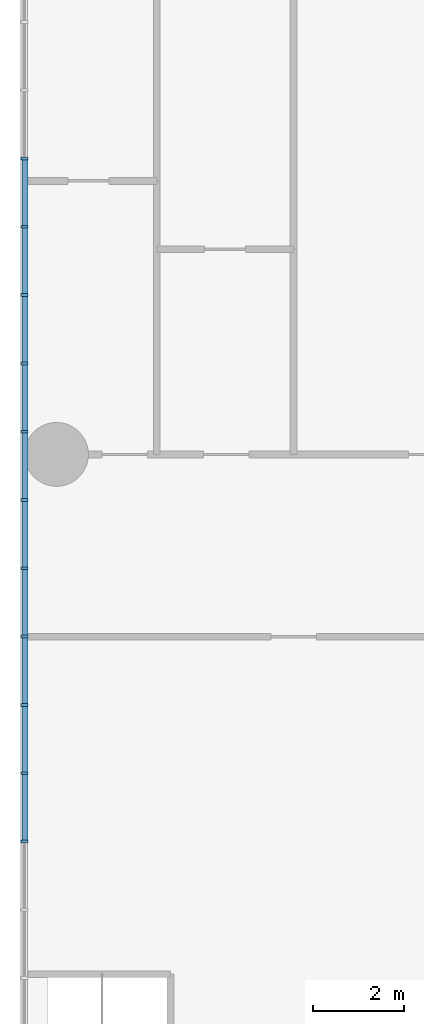
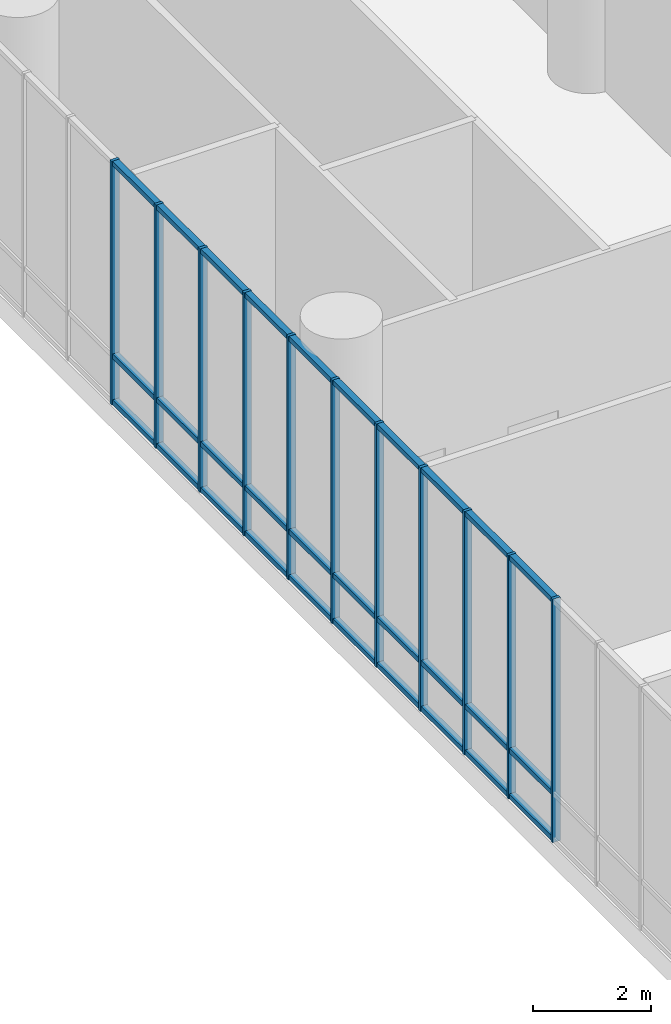
# One storey, part 5 of 30: 41 members, 1 element without a shape of its own.
"""IFC4 building model written with IfcOpenShell, lengths in metres."""

from ifc_helpers import new_model, si_unit, direction, frame, origin, origin_2d, place, context, subcontext, project, spatial, rectangle, extrude, material, layer, layer_set, material_profile, profile_set, type_object, element, aggregate, save


model = new_model("IFC4")

# Units and contexts
model_context = context("Model", 3, precision=1e-05, world=origin(), true_north=direction((0.0, 1.0)))
body_context = subcontext(model_context, "Body", "Model", "MODEL_VIEW")
ifc_project = project(units=[si_unit("LENGTHUNIT", "METRE"), si_unit("AREAUNIT", "SQUARE_METRE"), si_unit("VOLUMEUNIT", "CUBIC_METRE"), si_unit("PLANEANGLEUNIT", "RADIAN"), si_unit("MASSUNIT", "GRAM", prefix="KILO")], contexts=[model_context])

# Site, building, storey
site_placement = place(None, origin())
site = spatial("IfcSite", under=ifc_project, at=site_placement, CompositionType="ELEMENT")
building_placement = place(site_placement, origin())
building = spatial("IfcBuilding", under=site, at=building_placement, Name="Torana Hotel and Residences", CompositionType="ELEMENT")
storey_placement = place(building_placement, frame((0.0, 0.0, 12.5)))
storey = spatial("IfcBuildingStorey", under=building, at=storey_placement, Name="L02", CompositionType="ELEMENT", Elevation=12.5)

# Curtain wall, members
ifc_material_1 = material(Name="Dark anodised aluminium", Category="aluminium")
ifc_layer = layer(ifc_material_1, 0.14990234375)
ifc_layer_set = layer_set([ifc_layer], Name="CW5 PODIUM UPPER UNITISED CURTAIN WALL")
curtain_wall_type = type_object("IfcCurtainWallType", Name="CW5 PODIUM UPPER UNITISED CURTAIN WALL", PredefinedType="NOTDEFINED", material=ifc_layer_set)
curtain_wall_placement = place(storey_placement, origin())
curtain_wall = element("IfcCurtainWall", 1, at=curtain_wall_placement, inside=storey, type_object=curtain_wall_type, Name="Curtain wall CW5 L02 e0.7", PredefinedType="NOTDEFINED")
ifc_material_2 = material(Name="Dark anodised aluminium", Category="aluminium")
ifc_material_profile_1 = material_profile(ifc_material_2, rectangle(XDim=0.14990234375, YDim=0.06005859375, at=origin_2d()), Name="CW5 MULLION 60x150")
ifc_profile_set_1 = profile_set([ifc_material_profile_1], Name="Dark anodised aluminium")
member_type_1 = type_object("IfcMemberType", Name="CW5 MULLION 60x150", PredefinedType="MULLION", material=ifc_profile_set_1)
member_1_placement = place(storey_placement, frame((-47.89990234375, -8.51025390625, 0.0), z_axis=(0.0, 0.0, 1.0), x_axis=(1.0, 0.0, 0.0)))
member_1 = element("IfcMember", 2, at=member_1_placement, type_object=member_type_1, Name="CW5 mullion 8", PredefinedType="MULLION", context=body_context, shape_type="SweptSolid", body=[
    extrude(rectangle(XDim=0.14990234375, YDim=0.06005859375, at=origin_2d()), origin(), (0.0, 0.0, 1.0), 5.050048828125),
])
member_2_placement = place(storey_placement, frame((-47.89990234375, -10.00830078125, 0.0), z_axis=(0.0, 0.0, 1.0), x_axis=(1.0, 0.0, 0.0)))
member_2 = element("IfcMember", 3, at=member_2_placement, type_object=member_type_1, Name="CW5 mullion 9", PredefinedType="MULLION", context=body_context, shape_type="SweptSolid", body=[
    extrude(rectangle(XDim=0.14990234375, YDim=0.06005859375, at=origin_2d()), origin(), (0.0, 0.0, 1.0), 5.050048828125),
])
member_3_placement = place(storey_placement, frame((-47.89990234375, -11.506103515625, 0.0), z_axis=(0.0, 0.0, 1.0), x_axis=(1.0, 0.0, 0.0)))
member_3 = element("IfcMember", 4, at=member_3_placement, type_object=member_type_1, Name="CW5 mullion 10", PredefinedType="MULLION", context=body_context, shape_type="SweptSolid", body=[
    extrude(rectangle(XDim=0.14990234375, YDim=0.06005859375, at=origin_2d()), origin(), (0.0, 0.0, 1.0), 5.050048828125),
])
member_4_placement = place(storey_placement, frame((-47.89990234375, -13.004150390625, 0.0), z_axis=(0.0, 0.0, 1.0), x_axis=(1.0, 0.0, 0.0)))
member_4 = element("IfcMember", 5, at=member_4_placement, type_object=member_type_1, Name="CW5 mullion 11", PredefinedType="MULLION", context=body_context, shape_type="SweptSolid", body=[
    extrude(rectangle(XDim=0.14990234375, YDim=0.06005859375, at=origin_2d()), origin(), (0.0, 0.0, 1.0), 5.050048828125),
])
member_5_placement = place(storey_placement, frame((-47.89990234375, -14.501953125, 0.0), z_axis=(0.0, 0.0, 1.0), x_axis=(1.0, 0.0, 0.0)))
member_5 = element("IfcMember", 6, at=member_5_placement, type_object=member_type_1, Name="CW5 mullion 12", PredefinedType="MULLION", context=body_context, shape_type="SweptSolid", body=[
    extrude(rectangle(XDim=0.14990234375, YDim=0.06005859375, at=origin_2d()), origin(), (0.0, 0.0, 1.0), 5.050048828125),
])
member_6_placement = place(storey_placement, frame((-47.89990234375, -16.0, 0.0), z_axis=(0.0, 0.0, 1.0), x_axis=(1.0, 0.0, 0.0)))
member_6 = element("IfcMember", 7, at=member_6_placement, type_object=member_type_1, Name="CW5 mullion 13", PredefinedType="MULLION", context=body_context, shape_type="SweptSolid", body=[
    extrude(rectangle(XDim=0.14990234375, YDim=0.06005859375, at=origin_2d()), origin(), (0.0, 0.0, 1.0), 5.050048828125),
])
member_7_placement = place(storey_placement, frame((-47.89990234375, -17.498046875, 0.0), z_axis=(0.0, 0.0, 1.0), x_axis=(1.0, 0.0, 0.0)))
member_7 = element("IfcMember", 8, at=member_7_placement, type_object=member_type_1, Name="CW5 mullion 14", PredefinedType="MULLION", context=body_context, shape_type="SweptSolid", body=[
    extrude(rectangle(XDim=0.14990234375, YDim=0.06005859375, at=origin_2d()), origin(), (0.0, 0.0, 1.0), 5.050048828125),
])
member_8_placement = place(storey_placement, frame((-47.89990234375, -18.995849609375, 0.0), z_axis=(0.0, 0.0, 1.0), x_axis=(1.0, 0.0, 0.0)))
member_8 = element("IfcMember", 9, at=member_8_placement, type_object=member_type_1, Name="CW5 mullion 15", PredefinedType="MULLION", context=body_context, shape_type="SweptSolid", body=[
    extrude(rectangle(XDim=0.14990234375, YDim=0.06005859375, at=origin_2d()), origin(), (0.0, 0.0, 1.0), 5.050048828125),
])
member_9_placement = place(storey_placement, frame((-47.89990234375, -20.493896484375, 0.0), z_axis=(0.0, 0.0, 1.0), x_axis=(1.0, 0.0, 0.0)))
member_9 = element("IfcMember", 10, at=member_9_placement, type_object=member_type_1, Name="CW5 mullion 16", PredefinedType="MULLION", context=body_context, shape_type="SweptSolid", body=[
    extrude(rectangle(XDim=0.14990234375, YDim=0.06005859375, at=origin_2d()), origin(), (0.0, 0.0, 1.0), 5.050048828125),
])
member_10_placement = place(storey_placement, frame((-47.89990234375, -21.99169921875, 0.0), z_axis=(0.0, 0.0, 1.0), x_axis=(1.0, 0.0, 0.0)))
member_10 = element("IfcMember", 11, at=member_10_placement, type_object=member_type_1, Name="CW5 mullion 17", PredefinedType="MULLION", context=body_context, shape_type="SweptSolid", body=[
    extrude(rectangle(XDim=0.14990234375, YDim=0.06005859375, at=origin_2d()), origin(), (0.0, 0.0, 1.0), 5.050048828125),
])
member_11_placement = place(storey_placement, frame((-47.89990234375, -23.48974609375, 0.0), z_axis=(0.0, 0.0, 1.0), x_axis=(1.0, 0.0, 0.0)))
member_11 = element("IfcMember", 12, at=member_11_placement, type_object=member_type_1, Name="CW5 mullion 18", PredefinedType="MULLION", context=body_context, shape_type="SweptSolid", body=[
    extrude(rectangle(XDim=0.14990234375, YDim=0.06005859375, at=origin_2d()), origin(), (0.0, 0.0, 1.0), 5.050048828125),
])
ifc_material_3 = material(Name="Dark anodised aluminium", Category="aluminium")
ifc_material_profile_2 = material_profile(ifc_material_3, rectangle(XDim=0.1201171875, YDim=0.10009765625, at=origin_2d()), Name="CW5 TRANSOM 120x100")
ifc_profile_set_2 = profile_set([ifc_material_profile_2], Name="Dark anodised aluminium")
member_type_2 = type_object("IfcMemberType", Name="CW5 TRANSOM 120x100", PredefinedType="USERDEFINED", material=ifc_profile_set_2)
member_12_placement = place(storey_placement, frame((-47.89990234375, -8.540283203125, 0.050048828125), z_axis=(0.0, -1.0, 0.0), x_axis=(1.0, 0.0, 0.0)))
member_12 = element("IfcMember", 13, at=member_12_placement, type_object=member_type_2, Name="CW5 transom 8.1", ObjectType="TRANSOM", PredefinedType="USERDEFINED", context=body_context, shape_type="SweptSolid", body=[
    extrude(rectangle(XDim=0.1201171875, YDim=0.10009765625, at=origin_2d()), origin(), (0.0, 0.0, 1.0), 1.43798828125),
])
member_13_placement = place(storey_placement, frame((-47.89990234375, -8.540283203125, 1.0), z_axis=(0.0, -1.0, 0.0), x_axis=(1.0, 0.0, 0.0)))
member_13 = element("IfcMember", 14, at=member_13_placement, type_object=member_type_2, Name="CW5 transom 8.2", ObjectType="TRANSOM", PredefinedType="USERDEFINED", context=body_context, shape_type="SweptSolid", body=[
    extrude(rectangle(XDim=0.1201171875, YDim=0.10009765625, at=origin_2d()), origin(), (0.0, 0.0, 1.0), 1.43798828125),
])
member_14_placement = place(storey_placement, frame((-47.89990234375, -8.540283203125, 5.0), z_axis=(0.0, -1.0, 0.0), x_axis=(1.0, 0.0, 0.0)))
member_14 = element("IfcMember", 15, at=member_14_placement, type_object=member_type_2, Name="CW5 transom 8.3", ObjectType="TRANSOM", PredefinedType="USERDEFINED", context=body_context, shape_type="SweptSolid", body=[
    extrude(rectangle(XDim=0.1201171875, YDim=0.10009765625, at=origin_2d()), origin(), (0.0, 0.0, 1.0), 1.43798828125),
])
member_15_placement = place(storey_placement, frame((-47.89990234375, -10.0380859375, 0.050048828125), z_axis=(0.0, -1.0, 0.0), x_axis=(1.0, 0.0, 0.0)))
member_15 = element("IfcMember", 16, at=member_15_placement, type_object=member_type_2, Name="CW5 transom 9.1", ObjectType="TRANSOM", PredefinedType="USERDEFINED", context=body_context, shape_type="SweptSolid", body=[
    extrude(rectangle(XDim=0.1201171875, YDim=0.10009765625, at=origin_2d()), origin(), (0.0, 0.0, 1.0), 1.43798828125),
])
member_16_placement = place(storey_placement, frame((-47.89990234375, -10.0380859375, 1.0), z_axis=(0.0, -1.0, 0.0), x_axis=(1.0, 0.0, 0.0)))
member_16 = element("IfcMember", 17, at=member_16_placement, type_object=member_type_2, Name="CW5 transom 9.2", ObjectType="TRANSOM", PredefinedType="USERDEFINED", context=body_context, shape_type="SweptSolid", body=[
    extrude(rectangle(XDim=0.1201171875, YDim=0.10009765625, at=origin_2d()), origin(), (0.0, 0.0, 1.0), 1.43798828125),
])
member_17_placement = place(storey_placement, frame((-47.89990234375, -10.0380859375, 5.0), z_axis=(0.0, -1.0, 0.0), x_axis=(1.0, 0.0, 0.0)))
member_17 = element("IfcMember", 18, at=member_17_placement, type_object=member_type_2, Name="CW5 transom 9.3", ObjectType="TRANSOM", PredefinedType="USERDEFINED", context=body_context, shape_type="SweptSolid", body=[
    extrude(rectangle(XDim=0.1201171875, YDim=0.10009765625, at=origin_2d()), origin(), (0.0, 0.0, 1.0), 1.43798828125),
])
member_18_placement = place(storey_placement, frame((-47.89990234375, -11.5361328125, 0.050048828125), z_axis=(0.0, -1.0, 0.0), x_axis=(1.0, 0.0, 0.0)))
member_18 = element("IfcMember", 19, at=member_18_placement, type_object=member_type_2, Name="CW5 transom 10.1", ObjectType="TRANSOM", PredefinedType="USERDEFINED", context=body_context, shape_type="SweptSolid", body=[
    extrude(rectangle(XDim=0.1201171875, YDim=0.10009765625, at=origin_2d()), origin(), (0.0, 0.0, 1.0), 1.43798828125),
])
member_19_placement = place(storey_placement, frame((-47.89990234375, -11.5361328125, 1.0), z_axis=(0.0, -1.0, 0.0), x_axis=(1.0, 0.0, 0.0)))
member_19 = element("IfcMember", 20, at=member_19_placement, type_object=member_type_2, Name="CW5 transom 10.2", ObjectType="TRANSOM", PredefinedType="USERDEFINED", context=body_context, shape_type="SweptSolid", body=[
    extrude(rectangle(XDim=0.1201171875, YDim=0.10009765625, at=origin_2d()), origin(), (0.0, 0.0, 1.0), 1.43798828125),
])
member_20_placement = place(storey_placement, frame((-47.89990234375, -11.5361328125, 5.0), z_axis=(0.0, -1.0, 0.0), x_axis=(1.0, 0.0, 0.0)))
member_20 = element("IfcMember", 21, at=member_20_placement, type_object=member_type_2, Name="CW5 transom 10.3", ObjectType="TRANSOM", PredefinedType="USERDEFINED", context=body_context, shape_type="SweptSolid", body=[
    extrude(rectangle(XDim=0.1201171875, YDim=0.10009765625, at=origin_2d()), origin(), (0.0, 0.0, 1.0), 1.43798828125),
])
member_21_placement = place(storey_placement, frame((-47.89990234375, -13.0341796875, 0.050048828125), z_axis=(0.0, -1.0, 0.0), x_axis=(1.0, 0.0, 0.0)))
member_21 = element("IfcMember", 22, at=member_21_placement, type_object=member_type_2, Name="CW5 transom 11.1", ObjectType="TRANSOM", PredefinedType="USERDEFINED", context=body_context, shape_type="SweptSolid", body=[
    extrude(rectangle(XDim=0.1201171875, YDim=0.10009765625, at=origin_2d()), origin(), (0.0, 0.0, 1.0), 1.43798828125),
])
member_22_placement = place(storey_placement, frame((-47.89990234375, -13.0341796875, 1.0), z_axis=(0.0, -1.0, 0.0), x_axis=(1.0, 0.0, 0.0)))
member_22 = element("IfcMember", 23, at=member_22_placement, type_object=member_type_2, Name="CW5 transom 11.2", ObjectType="TRANSOM", PredefinedType="USERDEFINED", context=body_context, shape_type="SweptSolid", body=[
    extrude(rectangle(XDim=0.1201171875, YDim=0.10009765625, at=origin_2d()), origin(), (0.0, 0.0, 1.0), 1.43798828125),
])
member_23_placement = place(storey_placement, frame((-47.89990234375, -13.0341796875, 5.0), z_axis=(0.0, -1.0, 0.0), x_axis=(1.0, 0.0, 0.0)))
member_23 = element("IfcMember", 24, at=member_23_placement, type_object=member_type_2, Name="CW5 transom 11.3", ObjectType="TRANSOM", PredefinedType="USERDEFINED", context=body_context, shape_type="SweptSolid", body=[
    extrude(rectangle(XDim=0.1201171875, YDim=0.10009765625, at=origin_2d()), origin(), (0.0, 0.0, 1.0), 1.43798828125),
])
member_24_placement = place(storey_placement, frame((-47.89990234375, -14.531982421875, 0.050048828125), z_axis=(0.0, -1.0, 0.0), x_axis=(1.0, 0.0, 0.0)))
member_24 = element("IfcMember", 25, at=member_24_placement, type_object=member_type_2, Name="CW5 transom 12.1", ObjectType="TRANSOM", PredefinedType="USERDEFINED", context=body_context, shape_type="SweptSolid", body=[
    extrude(rectangle(XDim=0.1201171875, YDim=0.10009765625, at=origin_2d()), origin(), (0.0, 0.0, 1.0), 1.43798828125),
])
member_25_placement = place(storey_placement, frame((-47.89990234375, -14.531982421875, 1.0), z_axis=(0.0, -1.0, 0.0), x_axis=(1.0, 0.0, 0.0)))
member_25 = element("IfcMember", 26, at=member_25_placement, type_object=member_type_2, Name="CW5 transom 12.2", ObjectType="TRANSOM", PredefinedType="USERDEFINED", context=body_context, shape_type="SweptSolid", body=[
    extrude(rectangle(XDim=0.1201171875, YDim=0.10009765625, at=origin_2d()), origin(), (0.0, 0.0, 1.0), 1.43798828125),
])
member_26_placement = place(storey_placement, frame((-47.89990234375, -14.531982421875, 5.0), z_axis=(0.0, -1.0, 0.0), x_axis=(1.0, 0.0, 0.0)))
member_26 = element("IfcMember", 27, at=member_26_placement, type_object=member_type_2, Name="CW5 transom 12.3", ObjectType="TRANSOM", PredefinedType="USERDEFINED", context=body_context, shape_type="SweptSolid", body=[
    extrude(rectangle(XDim=0.1201171875, YDim=0.10009765625, at=origin_2d()), origin(), (0.0, 0.0, 1.0), 1.43798828125),
])
member_27_placement = place(storey_placement, frame((-47.89990234375, -16.030029296875, 0.050048828125), z_axis=(0.0, -1.0, 0.0), x_axis=(1.0, 0.0, 0.0)))
member_27 = element("IfcMember", 28, at=member_27_placement, type_object=member_type_2, Name="CW5 transom 13.1", ObjectType="TRANSOM", PredefinedType="USERDEFINED", context=body_context, shape_type="SweptSolid", body=[
    extrude(rectangle(XDim=0.1201171875, YDim=0.10009765625, at=origin_2d()), origin(), (0.0, 0.0, 1.0), 1.43798828125),
])
member_28_placement = place(storey_placement, frame((-47.89990234375, -16.030029296875, 1.0), z_axis=(0.0, -1.0, 0.0), x_axis=(1.0, 0.0, 0.0)))
member_28 = element("IfcMember", 29, at=member_28_placement, type_object=member_type_2, Name="CW5 transom 13.2", ObjectType="TRANSOM", PredefinedType="USERDEFINED", context=body_context, shape_type="SweptSolid", body=[
    extrude(rectangle(XDim=0.1201171875, YDim=0.10009765625, at=origin_2d()), origin(), (0.0, 0.0, 1.0), 1.43798828125),
])
member_29_placement = place(storey_placement, frame((-47.89990234375, -16.030029296875, 5.0), z_axis=(0.0, -1.0, 0.0), x_axis=(1.0, 0.0, 0.0)))
member_29 = element("IfcMember", 30, at=member_29_placement, type_object=member_type_2, Name="CW5 transom 13.3", ObjectType="TRANSOM", PredefinedType="USERDEFINED", context=body_context, shape_type="SweptSolid", body=[
    extrude(rectangle(XDim=0.1201171875, YDim=0.10009765625, at=origin_2d()), origin(), (0.0, 0.0, 1.0), 1.43798828125),
])
member_30_placement = place(storey_placement, frame((-47.89990234375, -17.52783203125, 0.050048828125), z_axis=(0.0, -1.0, 0.0), x_axis=(1.0, 0.0, 0.0)))
member_30 = element("IfcMember", 31, at=member_30_placement, type_object=member_type_2, Name="CW5 transom 14.1", ObjectType="TRANSOM", PredefinedType="USERDEFINED", context=body_context, shape_type="SweptSolid", body=[
    extrude(rectangle(XDim=0.1201171875, YDim=0.10009765625, at=origin_2d()), origin(), (0.0, 0.0, 1.0), 1.43798828125),
])
member_31_placement = place(storey_placement, frame((-47.89990234375, -17.52783203125, 1.0), z_axis=(0.0, -1.0, 0.0), x_axis=(1.0, 0.0, 0.0)))
member_31 = element("IfcMember", 32, at=member_31_placement, type_object=member_type_2, Name="CW5 transom 14.2", ObjectType="TRANSOM", PredefinedType="USERDEFINED", context=body_context, shape_type="SweptSolid", body=[
    extrude(rectangle(XDim=0.1201171875, YDim=0.10009765625, at=origin_2d()), origin(), (0.0, 0.0, 1.0), 1.43798828125),
])
member_32_placement = place(storey_placement, frame((-47.89990234375, -17.52783203125, 5.0), z_axis=(0.0, -1.0, 0.0), x_axis=(1.0, 0.0, 0.0)))
member_32 = element("IfcMember", 33, at=member_32_placement, type_object=member_type_2, Name="CW5 transom 14.3", ObjectType="TRANSOM", PredefinedType="USERDEFINED", context=body_context, shape_type="SweptSolid", body=[
    extrude(rectangle(XDim=0.1201171875, YDim=0.10009765625, at=origin_2d()), origin(), (0.0, 0.0, 1.0), 1.43798828125),
])
member_33_placement = place(storey_placement, frame((-47.89990234375, -19.02587890625, 0.050048828125), z_axis=(0.0, -1.0, 0.0), x_axis=(1.0, 0.0, 0.0)))
member_33 = element("IfcMember", 34, at=member_33_placement, type_object=member_type_2, Name="CW5 transom 15.1", ObjectType="TRANSOM", PredefinedType="USERDEFINED", context=body_context, shape_type="SweptSolid", body=[
    extrude(rectangle(XDim=0.1201171875, YDim=0.10009765625, at=origin_2d()), origin(), (0.0, 0.0, 1.0), 1.43798828125),
])
member_34_placement = place(storey_placement, frame((-47.89990234375, -19.02587890625, 1.0), z_axis=(0.0, -1.0, 0.0), x_axis=(1.0, 0.0, 0.0)))
member_34 = element("IfcMember", 35, at=member_34_placement, type_object=member_type_2, Name="CW5 transom 15.2", ObjectType="TRANSOM", PredefinedType="USERDEFINED", context=body_context, shape_type="SweptSolid", body=[
    extrude(rectangle(XDim=0.1201171875, YDim=0.10009765625, at=origin_2d()), origin(), (0.0, 0.0, 1.0), 1.43798828125),
])
member_35_placement = place(storey_placement, frame((-47.89990234375, -19.02587890625, 5.0), z_axis=(0.0, -1.0, 0.0), x_axis=(1.0, 0.0, 0.0)))
member_35 = element("IfcMember", 36, at=member_35_placement, type_object=member_type_2, Name="CW5 transom 15.3", ObjectType="TRANSOM", PredefinedType="USERDEFINED", context=body_context, shape_type="SweptSolid", body=[
    extrude(rectangle(XDim=0.1201171875, YDim=0.10009765625, at=origin_2d()), origin(), (0.0, 0.0, 1.0), 1.43798828125),
])
member_36_placement = place(storey_placement, frame((-47.89990234375, -20.52392578125, 0.050048828125), z_axis=(0.0, -1.0, 0.0), x_axis=(1.0, 0.0, 0.0)))
member_36 = element("IfcMember", 37, at=member_36_placement, type_object=member_type_2, Name="CW5 transom 16.1", ObjectType="TRANSOM", PredefinedType="USERDEFINED", context=body_context, shape_type="SweptSolid", body=[
    extrude(rectangle(XDim=0.1201171875, YDim=0.10009765625, at=origin_2d()), origin(), (0.0, 0.0, 1.0), 1.43798828125),
])
member_37_placement = place(storey_placement, frame((-47.89990234375, -20.52392578125, 1.0), z_axis=(0.0, -1.0, 0.0), x_axis=(1.0, 0.0, 0.0)))
member_37 = element("IfcMember", 38, at=member_37_placement, type_object=member_type_2, Name="CW5 transom 16.2", ObjectType="TRANSOM", PredefinedType="USERDEFINED", context=body_context, shape_type="SweptSolid", body=[
    extrude(rectangle(XDim=0.1201171875, YDim=0.10009765625, at=origin_2d()), origin(), (0.0, 0.0, 1.0), 1.43798828125),
])
member_38_placement = place(storey_placement, frame((-47.89990234375, -20.52392578125, 5.0), z_axis=(0.0, -1.0, 0.0), x_axis=(1.0, 0.0, 0.0)))
member_38 = element("IfcMember", 39, at=member_38_placement, type_object=member_type_2, Name="CW5 transom 16.3", ObjectType="TRANSOM", PredefinedType="USERDEFINED", context=body_context, shape_type="SweptSolid", body=[
    extrude(rectangle(XDim=0.1201171875, YDim=0.10009765625, at=origin_2d()), origin(), (0.0, 0.0, 1.0), 1.43798828125),
])
member_39_placement = place(storey_placement, frame((-47.89990234375, -22.021728515625, 0.050048828125), z_axis=(0.0, -1.0, 0.0), x_axis=(1.0, 0.0, 0.0)))
member_39 = element("IfcMember", 40, at=member_39_placement, type_object=member_type_2, Name="CW5 transom 17.1", ObjectType="TRANSOM", PredefinedType="USERDEFINED", context=body_context, shape_type="SweptSolid", body=[
    extrude(rectangle(XDim=0.1201171875, YDim=0.10009765625, at=origin_2d()), origin(), (0.0, 0.0, 1.0), 1.43798828125),
])
member_40_placement = place(storey_placement, frame((-47.89990234375, -22.021728515625, 1.0), z_axis=(0.0, -1.0, 0.0), x_axis=(1.0, 0.0, 0.0)))
member_40 = element("IfcMember", 41, at=member_40_placement, type_object=member_type_2, Name="CW5 transom 17.2", ObjectType="TRANSOM", PredefinedType="USERDEFINED", context=body_context, shape_type="SweptSolid", body=[
    extrude(rectangle(XDim=0.1201171875, YDim=0.10009765625, at=origin_2d()), origin(), (0.0, 0.0, 1.0), 1.43798828125),
])
member_41_placement = place(storey_placement, frame((-47.89990234375, -22.021728515625, 5.0), z_axis=(0.0, -1.0, 0.0), x_axis=(1.0, 0.0, 0.0)))
member_41 = element("IfcMember", 42, at=member_41_placement, type_object=member_type_2, Name="CW5 transom 17.3", ObjectType="TRANSOM", PredefinedType="USERDEFINED", context=body_context, shape_type="SweptSolid", body=[
    extrude(rectangle(XDim=0.1201171875, YDim=0.10009765625, at=origin_2d()), origin(), (0.0, 0.0, 1.0), 1.43798828125),
])
aggregate(curtain_wall, [member_1, member_2, member_3, member_4, member_5, member_6, member_7, member_8, member_9, member_10, member_11, member_12, member_13, member_14, member_15, member_16, member_17, member_18, member_19, member_20, member_21, member_22, member_23, member_24, member_25, member_26, member_27, member_28, member_29, member_30, member_31, member_32, member_33, member_34, member_35, member_36, member_37, member_38, member_39, member_40, member_41])

save(model, "model.ifc")
